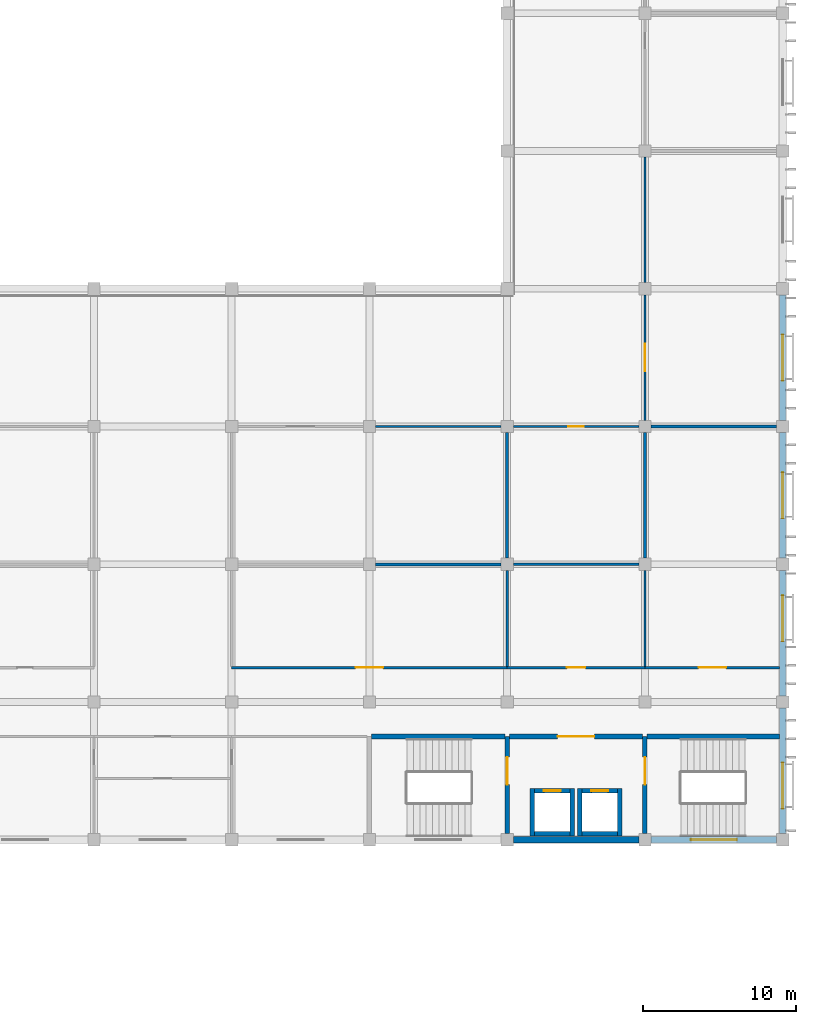
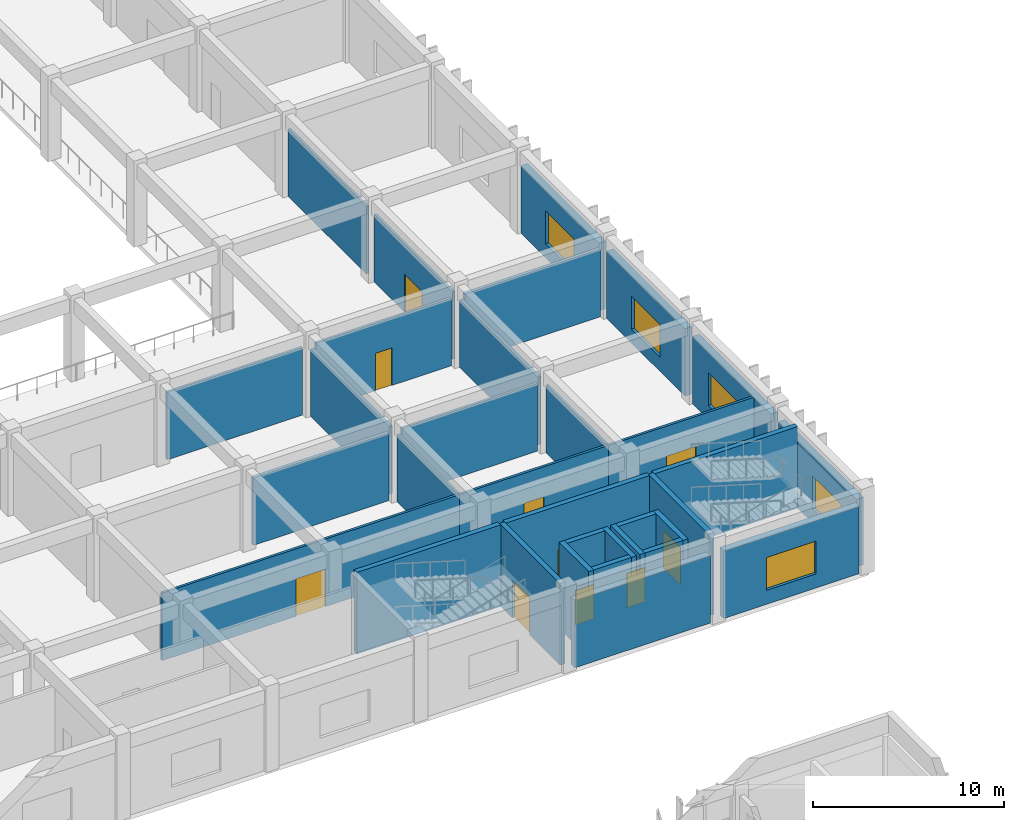
# One storey, part 124 of 185: 33 walls, 10 doors, 5 windows, 15 openings.
"""IFC4 building model written with IfcOpenShell, lengths in metres."""

from ifc_helpers import new_model, si_unit, direction, frame, frame_2d, origin, place, context, subcontext, project, spatial, rectangle, extrude, material, layer, layer_set, type_object, element, fill, save


model = new_model("IFC4")

# Units and contexts
model_context = context("Model", 3, precision=1e-05, world=origin(), true_north=direction((0.0, 1.0)))
body_context = subcontext(model_context, "Body", "Model", "MODEL_VIEW")
ifc_project = project(units=[si_unit("LENGTHUNIT", "METRE"), si_unit("AREAUNIT", "SQUARE_METRE"), si_unit("VOLUMEUNIT", "CUBIC_METRE"), si_unit("PLANEANGLEUNIT", "RADIAN"), si_unit("MASSUNIT", "GRAM", prefix="KILO")], contexts=[model_context])

# Site, building, storey
site_placement = place(None, origin())
site = spatial("IfcSite", under=ifc_project, at=site_placement, CompositionType="ELEMENT")
building_placement = place(site_placement, origin())
building = spatial("IfcBuilding", under=site, at=building_placement, Name="Opaline Strait Convention Centre", CompositionType="ELEMENT")
storey_placement = place(building_placement, frame((0.0, 0.0, 6.0)))
storey = spatial("IfcBuildingStorey", under=building, at=storey_placement, Name="L01", CompositionType="ELEMENT", Elevation=6.0)

# Walls
ifc_material_1 = material(Name="Gypsum board")
ifc_layer_1 = layer(ifc_material_1, 0.050048828125)
ifc_material_2 = material(Name="Steel stud and mineral wool", Category="steel")
ifc_layer_2 = layer(ifc_material_2, 0.10009765625)
ifc_layer_3 = layer(ifc_material_1, 0.050048828125)
ifc_layer_set_1 = layer_set([ifc_layer_1, ifc_layer_2, ifc_layer_3], Name="Gypsum board, Steel stud and mineral wool, Gypsum board")
wall_type_1 = type_object("IfcWallType", Name="Acoustic partition 200 EI45", PredefinedType="PARTITIONING", material=ifc_layer_set_1)
for number, where, z_axis, x_axis, name in (
    (1, (333.39990234375, 108.0, 0.0), (0.0, 0.0, 1.0), (1.0, 0.0, 0.0), "MPW5 partition Meeting Room 1.14 N"),
    (2, (342.0, 108.39990234375, 0.0), (0.0, 0.0, 1.0), (0.0, 1.0, 0.0), "MPW5 partition Meeting Room 1.17 E"),
    (3, (351.0, 108.39990234375, 0.0), (0.0, 0.0, 1.0), (0.0, 1.0, 0.0), "MPW5 partition Boardroom 1.18 E"),
    (4, (351.39990234375, 117.0, 0.0), (0.0, 0.0, 1.0), (1.0, 0.0, 0.0), "MPW5 partition Meeting Room 1.23 S"),
):
    element("IfcWall", number, at=place(storey_placement, frame(where, z_axis=z_axis, x_axis=x_axis)), inside=storey, type_object=wall_type_1, Name=name, PredefinedType="PARTITIONING", context=body_context, shape_type="SweptSolid", body=[
        extrude(rectangle(XDim=8.2001953125, YDim=0.199951171875, at=frame_2d((4.10009765625, 0.0))), origin(), (0.0, 0.0, 1.0), 4.320068359375),
    ])

# Wall, opening, door
ifc_layer_4 = layer(ifc_material_1, 0.032470703125)
ifc_layer_5 = layer(ifc_material_2, 0.0849609375)
ifc_layer_6 = layer(ifc_material_1, 0.032470703125)
ifc_layer_set_2 = layer_set([ifc_layer_4, ifc_layer_5, ifc_layer_6], Name="Gypsum board, Steel stud and mineral wool, Gypsum board")
wall_type_2 = type_object("IfcWallType", Name="Corridor partition 150 EI60", PredefinedType="PARTITIONING", material=ifc_layer_set_2)
wall_1_placement = place(storey_placement, frame((324.0, 101.25, 0.0), z_axis=(0.0, 0.0, 1.0), x_axis=(1.0, 0.0, 0.0)))
wall_1 = element("IfcWall", 5, at=wall_1_placement, inside=storey, type_object=wall_type_2, Name="MPW1 partition Meeting Room 1.14 S", PredefinedType="PARTITIONING", context=body_context, shape_type="SweptSolid", body=[
    extrude(rectangle(XDim=18.0, YDim=0.14990234375, at=frame_2d((9.0, 0.0))), origin(), (0.0, 0.0, 1.0), 4.320068359375),
])
opening_1_placement = place(wall_1_placement, frame((8.10009765625, 0.0, 0.0)))
opening_1 = element("IfcOpeningElement", 6, at=opening_1_placement, cuts=wall_1, Name="Opening M1-034", PredefinedType="OPENING", context=body_context, shape_type="SweptSolid", body=[
    extrude(rectangle(XDim=1.800048828125, YDim=2.39990234375, at=frame_2d((0.89990234375, 1.199951171875))), frame((0.0, 0.0849609375, 0.0), z_axis=(0.0, -1.0, 0.0), x_axis=(1.0, 0.0, 0.0)), (0.0, 0.0, 1.0), 0.169921875),
])
ifc_material_3 = material(Name="Solid-core timber leaf, steel frame door set", Category="steel")
door_type_1 = type_object("IfcDoorType", Name="Meeting room double door FD30 1800 x 2400", OperationType="DOUBLE_DOOR_SINGLE_SWING", PredefinedType="DOOR", material=ifc_material_3)
door_1_placement = place(opening_1_placement, frame((1.800048828125, 0.0, 0.0), z_axis=(0.0, 0.0, 1.0), x_axis=(-1.0, 0.0, 0.0)))
door_1 = element("IfcDoor", 7, at=door_1_placement, inside=storey, type_object=door_type_1, Name="Door Meeting Room 1.14", ObjectType="MD7", OperationType="DOUBLE_DOOR_SINGLE_SWING", OverallHeight=2.39990234375, OverallWidth=1.800048828125, PredefinedType="DOOR", context=body_context, shape_type="SweptSolid", body=[
    extrude(rectangle(XDim=1.800048828125, YDim=2.39990234375, at=frame_2d((0.89990234375, 1.199951171875))), frame((0.0, 0.02490234375, 0.0), z_axis=(0.0, -1.0, 0.0), x_axis=(1.0, 0.0, 0.0)), (0.0, 0.0, 1.0), 0.050048828125),
])
fill(opening_1, door_1)

# Wall
wall_2_placement = place(storey_placement, frame((333.39990234375, 117.0, 0.0), z_axis=(0.0, 0.0, 1.0), x_axis=(1.0, 0.0, 0.0)))
element("IfcWall", 8, at=wall_2_placement, inside=storey, type_object=wall_type_2, Name="MPW1 partition Meeting Room 1.17 N", PredefinedType="PARTITIONING", context=body_context, shape_type="SweptSolid", body=[
    extrude(rectangle(XDim=8.2001953125, YDim=0.14990234375, at=frame_2d((4.10009765625, 0.0))), origin(), (0.0, 0.0, 1.0), 4.320068359375),
])

# Wall, opening, door
wall_3_placement = place(storey_placement, frame((342.39990234375, 117.0, 0.0), z_axis=(0.0, 0.0, 1.0), x_axis=(1.0, 0.0, 0.0)))
wall_3 = element("IfcWall", 9, at=wall_3_placement, inside=storey, type_object=wall_type_2, Name="MPW1 partition Boardroom 1.18 N", PredefinedType="PARTITIONING", context=body_context, shape_type="SweptSolid", body=[
    extrude(rectangle(XDim=8.2001953125, YDim=0.14990234375, at=frame_2d((4.10009765625, 0.0))), origin(), (0.0, 0.0, 1.0), 4.320068359375),
])
opening_2_placement = place(wall_3_placement, frame((3.60009765625, 0.0, 0.0)))
opening_2 = element("IfcOpeningElement", 10, at=opening_2_placement, cuts=wall_3, Name="Opening M1-038", PredefinedType="OPENING", context=body_context, shape_type="SweptSolid", body=[
    extrude(rectangle(XDim=1.0, YDim=2.39990234375, at=frame_2d((0.5, 1.199951171875))), frame((0.0, 0.0849609375, 0.0), z_axis=(0.0, -1.0, 0.0), x_axis=(1.0, 0.0, 0.0)), (0.0, 0.0, 1.0), 0.169921875),
])
door_type_2 = type_object("IfcDoorType", Name="Meeting room door FD30 1000 x 2400", OperationType="SINGLE_SWING_LEFT", PredefinedType="DOOR", material=ifc_material_3)
door_2_placement = place(opening_2_placement, origin())
door_2 = element("IfcDoor", 11, at=door_2_placement, inside=storey, type_object=door_type_2, Name="Door Boardroom 1.18", ObjectType="MD8", OperationType="SINGLE_SWING_LEFT", OverallHeight=2.39990234375, OverallWidth=1.0, PredefinedType="DOOR", context=body_context, shape_type="SweptSolid", body=[
    extrude(rectangle(XDim=1.0, YDim=2.39990234375, at=frame_2d((0.5, 1.199951171875))), frame((0.0, 0.02490234375, 0.0), z_axis=(0.0, -1.0, 0.0), x_axis=(1.0, 0.0, 0.0)), (0.0, 0.0, 1.0), 0.050048828125),
])
fill(opening_2, door_2)

wall_4_placement = place(storey_placement, frame((351.0, 117.39990234375, 0.0), z_axis=(0.0, 0.0, 1.0), x_axis=(0.0, 1.0, 0.0)))
wall_4 = element("IfcWall", 12, at=wall_4_placement, inside=storey, type_object=wall_type_2, Name="MPW1 partition Meeting Room 1.23 W", PredefinedType="PARTITIONING", context=body_context, shape_type="SweptSolid", body=[
    extrude(rectangle(XDim=8.2001953125, YDim=0.14990234375, at=frame_2d((4.10009765625, 0.0))), origin(), (0.0, 0.0, 1.0), 4.320068359375),
])
opening_3_placement = place(wall_4_placement, frame((3.2001953125, 0.0, 0.0)))
opening_3 = element("IfcOpeningElement", 13, at=opening_3_placement, cuts=wall_4, Name="Opening M1-043", PredefinedType="OPENING", context=body_context, shape_type="SweptSolid", body=[
    extrude(rectangle(XDim=1.800048828125, YDim=2.39990234375, at=frame_2d((0.89990234375, 1.199951171875))), frame((0.0, 0.0849609375, 0.0), z_axis=(0.0, -1.0, 0.0), x_axis=(1.0, 0.0, 0.0)), (0.0, 0.0, 1.0), 0.169921875),
])
door_3_placement = place(opening_3_placement, origin())
door_3 = element("IfcDoor", 14, at=door_3_placement, inside=storey, type_object=door_type_1, Name="Door Meeting Room 1.23", ObjectType="MD7", OperationType="DOUBLE_DOOR_SINGLE_SWING", OverallHeight=2.39990234375, OverallWidth=1.800048828125, PredefinedType="DOOR", context=body_context, shape_type="SweptSolid", body=[
    extrude(rectangle(XDim=1.800048828125, YDim=2.39990234375, at=frame_2d((0.89990234375, 1.199951171875))), frame((0.0, 0.02490234375, 0.0), z_axis=(0.0, -1.0, 0.0), x_axis=(1.0, 0.0, 0.0)), (0.0, 0.0, 1.0), 0.050048828125),
])
fill(opening_3, door_3)

# Wall
wall_5_placement = place(storey_placement, frame((351.0, 126.39990234375, 0.0), z_axis=(0.0, 0.0, 1.0), x_axis=(0.0, 1.0, 0.0)))
element("IfcWall", 15, at=wall_5_placement, inside=storey, type_object=wall_type_2, Name="MPW1 partition Meeting Room 1.23 W", PredefinedType="PARTITIONING", context=body_context, shape_type="SweptSolid", body=[
    extrude(rectangle(XDim=8.2001953125, YDim=0.14990234375, at=frame_2d((4.10009765625, 0.0))), origin(), (0.0, 0.0, 1.0), 4.320068359375),
])

# Wall, opening, door
wall_6_placement = place(storey_placement, frame((351.0, 101.25, 0.0), z_axis=(0.0, 0.0, 1.0), x_axis=(1.0, 0.0, 0.0)))
wall_6 = element("IfcWall", 16, at=wall_6_placement, inside=storey, type_object=wall_type_2, Name="MPW1 partition Meeting Room 1.26 S", PredefinedType="PARTITIONING", context=body_context, shape_type="SweptSolid", body=[
    extrude(rectangle(XDim=8.800048828125, YDim=0.14990234375, at=frame_2d((4.39990234375, 0.0))), origin(), (0.0, 0.0, 1.0), 4.320068359375),
])
opening_4_placement = place(wall_6_placement, frame((3.5, 0.0, 0.0)))
opening_4 = element("IfcOpeningElement", 17, at=opening_4_placement, cuts=wall_6, Name="Opening M1-046", PredefinedType="OPENING", context=body_context, shape_type="SweptSolid", body=[
    extrude(rectangle(XDim=1.800048828125, YDim=2.39990234375, at=frame_2d((0.89990234375, 1.199951171875))), frame((0.0, 0.0849609375, 0.0), z_axis=(0.0, -1.0, 0.0), x_axis=(1.0, 0.0, 0.0)), (0.0, 0.0, 1.0), 0.169921875),
])
door_4_placement = place(opening_4_placement, frame((1.800048828125, 0.0, 0.0), z_axis=(0.0, 0.0, 1.0), x_axis=(-1.0, 0.0, 0.0)))
door_4 = element("IfcDoor", 18, at=door_4_placement, inside=storey, type_object=door_type_1, Name="Door Meeting Room 1.26", ObjectType="MD7", OperationType="DOUBLE_DOOR_SINGLE_SWING", OverallHeight=2.39990234375, OverallWidth=1.800048828125, PredefinedType="DOOR", context=body_context, shape_type="SweptSolid", body=[
    extrude(rectangle(XDim=1.800048828125, YDim=2.39990234375, at=frame_2d((0.89990234375, 1.199951171875))), frame((0.0, 0.02490234375, 0.0), z_axis=(0.0, -1.0, 0.0), x_axis=(1.0, 0.0, 0.0)), (0.0, 0.0, 1.0), 0.050048828125),
])
fill(opening_4, door_4)

# Wall
ifc_material_4 = material(Name="Concrete C40 precast", Category="concrete")
ifc_layer_7 = layer(ifc_material_4, 0.10009765625)
ifc_material_5 = material(Name="Mineral wool insulation")
ifc_layer_8 = layer(ifc_material_5, 0.14990234375)
ifc_layer_9 = layer(ifc_material_4, 0.14990234375)
ifc_layer_set_3 = layer_set([ifc_layer_7, ifc_layer_8, ifc_layer_9], Name="Concrete C40 precast, Mineral wool insulation, Concrete C40 precast")
wall_type_3 = type_object("IfcWallType", Name="External wall 400 insulated precast EI60", PredefinedType="STANDARD", material=ifc_layer_set_3)
wall_7_placement = place(storey_placement, frame((342.39990234375, 90.0, 0.0), z_axis=(0.0, 0.0, 1.0), x_axis=(1.0, 0.0, 0.0)))
element("IfcWall", 19, at=wall_7_placement, inside=storey, type_object=wall_type_3, Name="External wall S L01 39/L", PredefinedType="STANDARD", context=body_context, shape_type="SweptSolid", body=[
    extrude(rectangle(XDim=8.2001953125, YDim=0.39990234375, at=frame_2d((4.10009765625, 0.0))), origin(), (0.0, 0.0, 1.0), 4.320068359375),
])

# Wall, opening, window
wall_8_placement = place(storey_placement, frame((351.39990234375, 90.0, 0.0), z_axis=(0.0, 0.0, 1.0), x_axis=(1.0, 0.0, 0.0)))
wall_8 = element("IfcWall", 20, at=wall_8_placement, inside=storey, type_object=wall_type_3, Name="External wall S L01 40/L", PredefinedType="STANDARD", context=body_context, shape_type="SweptSolid", body=[
    extrude(rectangle(XDim=8.2001953125, YDim=0.39990234375, at=frame_2d((4.10009765625, 0.0))), origin(), (0.0, 0.0, 1.0), 4.320068359375),
])
opening_5_placement = place(wall_8_placement, frame((2.60009765625, 0.0, 0.89990234375)))
opening_5 = element("IfcOpeningElement", 21, at=opening_5_placement, cuts=wall_8, Name="Opening MW2", PredefinedType="OPENING", context=body_context, shape_type="SweptSolid", body=[
    extrude(rectangle(XDim=3.0, YDim=2.10009765625, at=frame_2d((1.5, 1.050048828125))), frame((0.0, 0.2099609375, 0.0), z_axis=(0.0, -1.0, 0.0), x_axis=(1.0, 0.0, 0.0)), (0.0, 0.0, 1.0), 0.419921875),
])
ifc_material_6 = material(Name="Aluminium framed double glazing", Category="aluminium")
window_type = type_object("IfcWindowType", Name="Window 3000 x 2100", PartitioningType="TRIPLE_PANEL_VERTICAL", PredefinedType="WINDOW", material=ifc_material_6)
window_1_placement = place(opening_5_placement, origin())
window_1 = element("IfcWindow", 22, at=window_1_placement, inside=storey, type_object=window_type, Name="Window Escape Stair S3 S", OverallHeight=2.10009765625, OverallWidth=3.0, PartitioningType="TRIPLE_PANEL_VERTICAL", PredefinedType="WINDOW", context=body_context, shape_type="SweptSolid", body=[
    extrude(rectangle(XDim=3.0, YDim=2.10009765625, at=frame_2d((1.5, 1.050048828125))), frame((0.0, 0.030029296875, 0.0), z_axis=(0.0, -1.0, 0.0), x_axis=(1.0, 0.0, 0.0)), (0.0, 0.0, 1.0), 0.06005859375),
])
fill(opening_5, window_1)

wall_9_placement = place(storey_placement, frame((360.0, 90.39990234375, 0.0), z_axis=(0.0, 0.0, 1.0), x_axis=(0.0, 1.0, 0.0)))
wall_9 = element("IfcWall", 23, at=wall_9_placement, inside=storey, type_object=wall_type_3, Name="External wall E L01 41/L", PredefinedType="STANDARD", context=body_context, shape_type="SweptSolid", body=[
    extrude(rectangle(XDim=8.2001953125, YDim=0.39990234375, at=frame_2d((4.10009765625, 0.0))), origin(), (0.0, 0.0, 1.0), 4.320068359375),
])
opening_6_placement = place(wall_9_placement, frame((1.6376953125, 0.0, 0.89990234375)))
opening_6 = element("IfcOpeningElement", 24, at=opening_6_placement, cuts=wall_9, Name="Opening MW2", PredefinedType="OPENING", context=body_context, shape_type="SweptSolid", body=[
    extrude(rectangle(XDim=3.0, YDim=2.10009765625, at=frame_2d((1.5, 1.050048828125))), frame((0.0, 0.2099609375, 0.0), z_axis=(0.0, -1.0, 0.0), x_axis=(1.0, 0.0, 0.0)), (0.0, 0.0, 1.0), 0.419921875),
])
window_2_placement = place(opening_6_placement, origin())
window_2 = element("IfcWindow", 25, at=window_2_placement, inside=storey, type_object=window_type, Name="Window Escape Stair S3 E", OverallHeight=2.10009765625, OverallWidth=3.0, PartitioningType="TRIPLE_PANEL_VERTICAL", PredefinedType="WINDOW", context=body_context, shape_type="SweptSolid", body=[
    extrude(rectangle(XDim=3.0, YDim=2.10009765625, at=frame_2d((1.5, 1.050048828125))), frame((0.0, 0.030029296875, 0.0), z_axis=(0.0, -1.0, 0.0), x_axis=(1.0, 0.0, 0.0)), (0.0, 0.0, 1.0), 0.06005859375),
])
fill(opening_6, window_2)

wall_10_placement = place(storey_placement, frame((360.0, 99.39990234375, 0.0), z_axis=(0.0, 0.0, 1.0), x_axis=(0.0, 1.0, 0.0)))
wall_10 = element("IfcWall", 26, at=wall_10_placement, inside=storey, type_object=wall_type_3, Name="External wall E L01 41/M", PredefinedType="STANDARD", context=body_context, shape_type="SweptSolid", body=[
    extrude(rectangle(XDim=8.2001953125, YDim=0.39990234375, at=frame_2d((4.10009765625, 0.0))), origin(), (0.0, 0.0, 1.0), 4.320068359375),
])
opening_7_placement = place(wall_10_placement, frame((3.5625, 0.0, 0.89990234375)))
opening_7 = element("IfcOpeningElement", 27, at=opening_7_placement, cuts=wall_10, Name="Opening MW2", PredefinedType="OPENING", context=body_context, shape_type="SweptSolid", body=[
    extrude(rectangle(XDim=3.0, YDim=2.10009765625, at=frame_2d((1.5, 1.050048828125))), frame((0.0, 0.2099609375, 0.0), z_axis=(0.0, -1.0, 0.0), x_axis=(1.0, 0.0, 0.0)), (0.0, 0.0, 1.0), 0.419921875),
])
window_3_placement = place(opening_7_placement, origin())
window_3 = element("IfcWindow", 28, at=window_3_placement, inside=storey, type_object=window_type, Name="Window Meeting Room 1.26 E", OverallHeight=2.10009765625, OverallWidth=3.0, PartitioningType="TRIPLE_PANEL_VERTICAL", PredefinedType="WINDOW", context=body_context, shape_type="SweptSolid", body=[
    extrude(rectangle(XDim=3.0, YDim=2.10009765625, at=frame_2d((1.5, 1.050048828125))), frame((0.0, 0.030029296875, 0.0), z_axis=(0.0, -1.0, 0.0), x_axis=(1.0, 0.0, 0.0)), (0.0, 0.0, 1.0), 0.06005859375),
])
fill(opening_7, window_3)

wall_11_placement = place(storey_placement, frame((360.0, 108.39990234375, 0.0), z_axis=(0.0, 0.0, 1.0), x_axis=(0.0, 1.0, 0.0)))
wall_11 = element("IfcWall", 29, at=wall_11_placement, inside=storey, type_object=wall_type_3, Name="External wall E L01 41/N", PredefinedType="STANDARD", context=body_context, shape_type="SweptSolid", body=[
    extrude(rectangle(XDim=8.2001953125, YDim=0.39990234375, at=frame_2d((4.10009765625, 0.0))), origin(), (0.0, 0.0, 1.0), 4.320068359375),
])
opening_8_placement = place(wall_11_placement, frame((2.60009765625, 0.0, 0.89990234375)))
opening_8 = element("IfcOpeningElement", 30, at=opening_8_placement, cuts=wall_11, Name="Opening MW2", PredefinedType="OPENING", context=body_context, shape_type="SweptSolid", body=[
    extrude(rectangle(XDim=3.0, YDim=2.10009765625, at=frame_2d((1.5, 1.050048828125))), frame((0.0, 0.2099609375, 0.0), z_axis=(0.0, -1.0, 0.0), x_axis=(1.0, 0.0, 0.0)), (0.0, 0.0, 1.0), 0.419921875),
])
window_4_placement = place(opening_8_placement, origin())
window_4 = element("IfcWindow", 31, at=window_4_placement, inside=storey, type_object=window_type, Name="Window Meeting Room 1.26 E", OverallHeight=2.10009765625, OverallWidth=3.0, PartitioningType="TRIPLE_PANEL_VERTICAL", PredefinedType="WINDOW", context=body_context, shape_type="SweptSolid", body=[
    extrude(rectangle(XDim=3.0, YDim=2.10009765625, at=frame_2d((1.5, 1.050048828125))), frame((0.0, 0.030029296875, 0.0), z_axis=(0.0, -1.0, 0.0), x_axis=(1.0, 0.0, 0.0)), (0.0, 0.0, 1.0), 0.06005859375),
])
fill(opening_8, window_4)

wall_12_placement = place(storey_placement, frame((360.0, 117.39990234375, 0.0), z_axis=(0.0, 0.0, 1.0), x_axis=(0.0, 1.0, 0.0)))
wall_12 = element("IfcWall", 32, at=wall_12_placement, inside=storey, type_object=wall_type_3, Name="External wall E L01 41/P", PredefinedType="STANDARD", context=body_context, shape_type="SweptSolid", body=[
    extrude(rectangle(XDim=8.2001953125, YDim=0.39990234375, at=frame_2d((4.10009765625, 0.0))), origin(), (0.0, 0.0, 1.0), 4.320068359375),
])
opening_9_placement = place(wall_12_placement, frame((2.60009765625, 0.0, 0.89990234375)))
opening_9 = element("IfcOpeningElement", 33, at=opening_9_placement, cuts=wall_12, Name="Opening MW2", PredefinedType="OPENING", context=body_context, shape_type="SweptSolid", body=[
    extrude(rectangle(XDim=3.0, YDim=2.10009765625, at=frame_2d((1.5, 1.050048828125))), frame((0.0, 0.2099609375, 0.0), z_axis=(0.0, -1.0, 0.0), x_axis=(1.0, 0.0, 0.0)), (0.0, 0.0, 1.0), 0.419921875),
])
window_5_placement = place(opening_9_placement, origin())
window_5 = element("IfcWindow", 34, at=window_5_placement, inside=storey, type_object=window_type, Name="Window Meeting Room 1.23 E", OverallHeight=2.10009765625, OverallWidth=3.0, PartitioningType="TRIPLE_PANEL_VERTICAL", PredefinedType="WINDOW", context=body_context, shape_type="SweptSolid", body=[
    extrude(rectangle(XDim=3.0, YDim=2.10009765625, at=frame_2d((1.5, 1.050048828125))), frame((0.0, 0.030029296875, 0.0), z_axis=(0.0, -1.0, 0.0), x_axis=(1.0, 0.0, 0.0)), (0.0, 0.0, 1.0), 0.06005859375),
])
fill(opening_9, window_5)

# Wall
ifc_layer_10 = layer(ifc_material_1, 0.032470703125)
ifc_layer_11 = layer(ifc_material_2, 0.0849609375)
ifc_layer_12 = layer(ifc_material_1, 0.032470703125)
ifc_layer_set_4 = layer_set([ifc_layer_10, ifc_layer_11, ifc_layer_12], Name="Gypsum board, Steel stud and mineral wool, Gypsum board")
wall_type_4 = type_object("IfcWallType", Name="Plant room partition 150 EI120", PredefinedType="PARTITIONING", material=ifc_layer_set_4)
wall_13_placement = place(storey_placement, frame((342.0, 101.324951171875, 0.0), z_axis=(0.0, 0.0, 1.0), x_axis=(0.0, 1.0, 0.0)))
element("IfcWall", 35, at=wall_13_placement, inside=storey, type_object=wall_type_4, Name="MPW3 partition Meeting Room 1.14 E", PredefinedType="PARTITIONING", context=body_context, shape_type="SweptSolid", body=[
    extrude(rectangle(XDim=6.275146484375, YDim=0.14990234375, at=frame_2d((3.1376953125, 0.0))), origin(), (0.0, 0.0, 1.0), 4.320068359375),
])

# Wall, opening, door
wall_14_placement = place(storey_placement, frame((342.0, 101.25, 0.0), z_axis=(0.0, 0.0, 1.0), x_axis=(1.0, 0.0, 0.0)))
wall_14 = element("IfcWall", 36, at=wall_14_placement, inside=storey, type_object=wall_type_4, Name="MPW3 partition Electrical Room 1.15 S", PredefinedType="PARTITIONING", context=body_context, shape_type="SweptSolid", body=[
    extrude(rectangle(XDim=9.0, YDim=0.14990234375, at=frame_2d((4.5, 0.0))), origin(), (0.0, 0.0, 1.0), 4.320068359375),
])
opening_10_placement = place(wall_14_placement, frame((3.89990234375, 0.0, 0.0)))
opening_10 = element("IfcOpeningElement", 37, at=opening_10_placement, cuts=wall_14, Name="Opening M1-035", PredefinedType="OPENING", context=body_context, shape_type="SweptSolid", body=[
    extrude(rectangle(XDim=1.199951171875, YDim=2.39990234375, at=frame_2d((0.60009765625, 1.199951171875))), frame((0.0, 0.0849609375, 0.0), z_axis=(0.0, -1.0, 0.0), x_axis=(1.0, 0.0, 0.0)), (0.0, 0.0, 1.0), 0.169921875),
])
ifc_material_7 = material(Name="Steel Q235B", Category="steel")
door_type_3 = type_object("IfcDoorType", Name="Plant room door FD60 1200 x 2400", OperationType="SINGLE_SWING_LEFT", PredefinedType="DOOR", material=ifc_material_7)
door_5_placement = place(opening_10_placement, frame((1.199951171875, 0.0, 0.0), z_axis=(0.0, 0.0, 1.0), x_axis=(-1.0, 0.0, 0.0)))
door_5 = element("IfcDoor", 38, at=door_5_placement, inside=storey, type_object=door_type_3, Name="Door Electrical Room 1.15", ObjectType="MD9", OperationType="SINGLE_SWING_LEFT", OverallHeight=2.39990234375, OverallWidth=1.199951171875, PredefinedType="DOOR", context=body_context, shape_type="SweptSolid", body=[
    extrude(rectangle(XDim=1.199951171875, YDim=2.39990234375, at=frame_2d((0.60009765625, 1.199951171875))), frame((0.0, 0.02490234375, 0.0), z_axis=(0.0, -1.0, 0.0), x_axis=(1.0, 0.0, 0.0)), (0.0, 0.0, 1.0), 0.050048828125),
])
fill(opening_10, door_5)

# Walls
wall_15_placement = place(storey_placement, frame((342.39990234375, 108.0, 0.0), z_axis=(0.0, 0.0, 1.0), x_axis=(1.0, 0.0, 0.0)))
element("IfcWall", 39, at=wall_15_placement, inside=storey, type_object=wall_type_4, Name="MPW3 partition Electrical Room 1.15 N", PredefinedType="PARTITIONING", context=body_context, shape_type="SweptSolid", body=[
    extrude(rectangle(XDim=8.2001953125, YDim=0.14990234375, at=frame_2d((4.10009765625, 0.0))), origin(), (0.0, 0.0, 1.0), 4.320068359375),
])
wall_16_placement = place(storey_placement, frame((351.0, 101.324951171875, 0.0), z_axis=(0.0, 0.0, 1.0), x_axis=(0.0, 1.0, 0.0)))
element("IfcWall", 40, at=wall_16_placement, inside=storey, type_object=wall_type_4, Name="MPW3 partition Electrical Room 1.15 E", PredefinedType="PARTITIONING", context=body_context, shape_type="SweptSolid", body=[
    extrude(rectangle(XDim=6.275146484375, YDim=0.14990234375, at=frame_2d((3.1376953125, 0.0))), origin(), (0.0, 0.0, 1.0), 4.320068359375),
])

# Wall, opening, door
ifc_material_8 = material(Name="Concrete C40", Category="concrete")
ifc_layer_13 = layer(ifc_material_8, 0.300048828125)
ifc_layer_set_5 = layer_set([ifc_layer_13], Name="Concrete C40")
wall_type_5 = type_object("IfcWallType", Name="RC core wall 300 C40", PredefinedType="SHEAR", material=ifc_layer_set_5)
wall_17_placement = place(storey_placement, frame((351.0, 90.39990234375, 0.0), z_axis=(0.0, 0.0, 1.0), x_axis=(0.0, 1.0, 0.0)))
wall_17 = element("IfcWall", 41, at=wall_17_placement, inside=storey, type_object=wall_type_5, Name="Core wall SE-L01", PredefinedType="SHEAR", context=body_context, shape_type="SweptSolid", body=[
    extrude(rectangle(XDim=6.35009765625, YDim=0.300048828125, at=frame_2d((3.175048828125, 0.0))), origin(), (0.0, 0.0, 1.0), 5.219970703125),
])
opening_11_placement = place(wall_17_placement, frame((3.2001953125, 0.0, 0.0)))
opening_11 = element("IfcOpeningElement", 42, at=opening_11_placement, cuts=wall_17, Name="Opening M1-006", PredefinedType="OPENING", context=body_context, shape_type="SweptSolid", body=[
    extrude(rectangle(XDim=1.800048828125, YDim=2.39990234375, at=frame_2d((0.89990234375, 1.199951171875))), frame((0.0, 0.159912109375, 0.0), z_axis=(0.0, -1.0, 0.0), x_axis=(1.0, 0.0, 0.0)), (0.0, 0.0, 1.0), 0.320068359375),
])
door_type_4 = type_object("IfcDoorType", Name="Stair door FD60 1800 x 2400", OperationType="DOUBLE_DOOR_SINGLE_SWING", PredefinedType="DOOR", material=ifc_material_7)
door_6_placement = place(opening_11_placement, origin())
door_6 = element("IfcDoor", 43, at=door_6_placement, inside=storey, type_object=door_type_4, Name="Escape stair S3 door L01", ObjectType="MD4", OperationType="DOUBLE_DOOR_SINGLE_SWING", OverallHeight=2.39990234375, OverallWidth=1.800048828125, PredefinedType="DOOR", context=body_context, shape_type="SweptSolid", body=[
    extrude(rectangle(XDim=1.800048828125, YDim=2.39990234375, at=frame_2d((0.89990234375, 1.199951171875))), frame((0.0, 0.02490234375, 0.0), z_axis=(0.0, -1.0, 0.0), x_axis=(1.0, 0.0, 0.0)), (0.0, 0.0, 1.0), 0.050048828125),
])
fill(opening_11, door_6)

wall_18_placement = place(storey_placement, frame((342.0, 90.39990234375, 0.0), z_axis=(0.0, 0.0, 1.0), x_axis=(0.0, 1.0, 0.0)))
wall_18 = element("IfcWall", 44, at=wall_18_placement, inside=storey, type_object=wall_type_5, Name="Core wall SE-L01", PredefinedType="SHEAR", context=body_context, shape_type="SweptSolid", body=[
    extrude(rectangle(XDim=6.35009765625, YDim=0.300048828125, at=frame_2d((3.175048828125, 0.0))), origin(), (0.0, 0.0, 1.0), 5.219970703125),
])
opening_12_placement = place(wall_18_placement, frame((3.2001953125, 0.0, 0.0)))
opening_12 = element("IfcOpeningElement", 45, at=opening_12_placement, cuts=wall_18, Name="Opening M1-007", PredefinedType="OPENING", context=body_context, shape_type="SweptSolid", body=[
    extrude(rectangle(XDim=1.800048828125, YDim=2.39990234375, at=frame_2d((0.89990234375, 1.199951171875))), frame((0.0, 0.159912109375, 0.0), z_axis=(0.0, -1.0, 0.0), x_axis=(1.0, 0.0, 0.0)), (0.0, 0.0, 1.0), 0.320068359375),
])
door_7_placement = place(opening_12_placement, frame((1.800048828125, 0.0, 0.0), z_axis=(0.0, 0.0, 1.0), x_axis=(-1.0, 0.0, 0.0)))
door_7 = element("IfcDoor", 46, at=door_7_placement, inside=storey, type_object=door_type_4, Name="Escape stair S4 door L01", ObjectType="MD4", OperationType="DOUBLE_DOOR_SINGLE_SWING", OverallHeight=2.39990234375, OverallWidth=1.800048828125, PredefinedType="DOOR", context=body_context, shape_type="SweptSolid", body=[
    extrude(rectangle(XDim=1.800048828125, YDim=2.39990234375, at=frame_2d((0.89990234375, 1.199951171875))), frame((0.0, 0.02490234375, 0.0), z_axis=(0.0, -1.0, 0.0), x_axis=(1.0, 0.0, 0.0)), (0.0, 0.0, 1.0), 0.050048828125),
])
fill(opening_12, door_7)

# Wall
wall_19_placement = place(storey_placement, frame((333.14990234375, 96.75, 0.0), z_axis=(0.0, 0.0, 1.0), x_axis=(1.0, 0.0, 0.0)))
element("IfcWall", 47, at=wall_19_placement, inside=storey, type_object=wall_type_5, Name="Core wall SE-L01", PredefinedType="SHEAR", context=body_context, shape_type="SweptSolid", body=[
    extrude(rectangle(XDim=8.7001953125, YDim=0.300048828125, at=frame_2d((4.35009765625, 0.0))), origin(), (0.0, 0.0, 1.0), 5.219970703125),
])

# Wall, opening, door
wall_20_placement = place(storey_placement, frame((342.14990234375, 96.75, 0.0), z_axis=(0.0, 0.0, 1.0), x_axis=(1.0, 0.0, 0.0)))
wall_20 = element("IfcWall", 48, at=wall_20_placement, inside=storey, type_object=wall_type_5, Name="Core wall SE-L01", PredefinedType="SHEAR", context=body_context, shape_type="SweptSolid", body=[
    extrude(rectangle(XDim=8.7001953125, YDim=0.300048828125, at=frame_2d((4.35009765625, 0.0))), origin(), (0.0, 0.0, 1.0), 5.219970703125),
])
opening_13_placement = place(wall_20_placement, frame((3.150146484375, 0.0, 0.0)))
opening_13 = element("IfcOpeningElement", 49, at=opening_13_placement, cuts=wall_20, Name="Opening M1-008", PredefinedType="OPENING", context=body_context, shape_type="SweptSolid", body=[
    extrude(rectangle(XDim=2.39990234375, YDim=2.39990234375, at=frame_2d((1.199951171875, 1.199951171875))), frame((0.0, 0.159912109375, 0.0), z_axis=(0.0, -1.0, 0.0), x_axis=(1.0, 0.0, 0.0)), (0.0, 0.0, 1.0), 0.320068359375),
])
door_type_5 = type_object("IfcDoorType", Name="Lift lobby double door FD60 2400 x 2400", OperationType="DOUBLE_DOOR_SINGLE_SWING", PredefinedType="DOOR", material=ifc_material_7)
door_8_placement = place(opening_13_placement, origin())
door_8 = element("IfcDoor", 50, at=door_8_placement, inside=storey, type_object=door_type_5, Name="Lift lobby SE door L01", ObjectType="MD5", OperationType="DOUBLE_DOOR_SINGLE_SWING", OverallHeight=2.39990234375, OverallWidth=2.39990234375, PredefinedType="DOOR", context=body_context, shape_type="SweptSolid", body=[
    extrude(rectangle(XDim=2.39990234375, YDim=2.39990234375, at=frame_2d((1.199951171875, 1.199951171875))), frame((0.0, 0.02490234375, 0.0), z_axis=(0.0, -1.0, 0.0), x_axis=(1.0, 0.0, 0.0)), (0.0, 0.0, 1.0), 0.050048828125),
])
fill(opening_13, door_8)

# Walls
wall_21_placement = place(storey_placement, frame((351.14990234375, 96.75, 0.0), z_axis=(0.0, 0.0, 1.0), x_axis=(1.0, 0.0, 0.0)))
element("IfcWall", 51, at=wall_21_placement, inside=storey, type_object=wall_type_5, Name="Core wall SE-L01", PredefinedType="SHEAR", context=body_context, shape_type="SweptSolid", body=[
    extrude(rectangle(XDim=8.650146484375, YDim=0.300048828125, at=frame_2d((4.3251953125, 0.0))), origin(), (0.0, 0.0, 1.0), 5.219970703125),
])
ifc_layer_14 = layer(ifc_material_8, 0.300048828125)
ifc_layer_set_6 = layer_set([ifc_layer_14], Name="Concrete C40")
wall_type_6 = type_object("IfcWallType", Name="RC lift shaft wall 300 C40", PredefinedType="SHEAR", material=ifc_layer_set_6)
for number, where, z_axis, x_axis, name in (
    (52, (349.35009765625, 90.25, 0.0), (0.0, 0.0, 1.0), (0.0, 1.0, 0.0), "Lift shaft SE1 wall L01"),
    (53, (346.75, 90.25, 0.0), (0.0, 0.0, 1.0), (0.0, 1.0, 0.0), "Lift shaft SE1 wall L01"),
):
    element("IfcWall", number, at=place(storey_placement, frame(where, z_axis=z_axis, x_axis=x_axis)), inside=storey, type_object=wall_type_6, Name=name, PredefinedType="SHEAR", context=body_context, shape_type="SweptSolid", body=[
        extrude(rectangle(XDim=3.10009765625, YDim=0.300048828125, at=frame_2d((1.550048828125, 0.0))), origin(), (0.0, 0.0, 1.0), 5.5),
    ])
wall_22_placement = place(storey_placement, frame((346.89990234375, 90.39990234375, 0.0), z_axis=(0.0, 0.0, 1.0), x_axis=(1.0, 0.0, 0.0)))
element("IfcWall", 54, at=wall_22_placement, inside=storey, type_object=wall_type_6, Name="Lift shaft SE1 wall L01", PredefinedType="SHEAR", context=body_context, shape_type="SweptSolid", body=[
    extrude(rectangle(XDim=2.300048828125, YDim=0.300048828125, at=frame_2d((1.14990234375, 0.0))), origin(), (0.0, 0.0, 1.0), 5.5),
])

# Wall, opening, door
wall_23_placement = place(storey_placement, frame((346.89990234375, 93.199951171875, 0.0), z_axis=(0.0, 0.0, 1.0), x_axis=(1.0, 0.0, 0.0)))
wall_23 = element("IfcWall", 55, at=wall_23_placement, inside=storey, type_object=wall_type_6, Name="Lift shaft SE1 wall L01", PredefinedType="SHEAR", context=body_context, shape_type="SweptSolid", body=[
    extrude(rectangle(XDim=2.300048828125, YDim=0.300048828125, at=frame_2d((1.14990234375, 0.0))), origin(), (0.0, 0.0, 1.0), 5.5),
])
opening_14_placement = place(wall_23_placement, frame((0.60009765625, 0.0, 0.0)))
opening_14 = element("IfcOpeningElement", 56, at=opening_14_placement, cuts=wall_23, Name="Opening M1-009", PredefinedType="OPENING", context=body_context, shape_type="SweptSolid", body=[
    extrude(rectangle(XDim=1.10009765625, YDim=2.199951171875, at=frame_2d((0.550048828125, 1.10009765625))), frame((0.0, 0.159912109375, 0.0), z_axis=(0.0, -1.0, 0.0), x_axis=(1.0, 0.0, 0.0)), (0.0, 0.0, 1.0), 0.320068359375),
])
ifc_material_9 = material(Name="Stainless steel 304", Category="steel")
door_type_6 = type_object("IfcDoorType", Name="Lift landing door FD60 1100 x 2200", OperationType="SLIDING_TO_LEFT", PredefinedType="DOOR", material=ifc_material_9)
door_9_placement = place(opening_14_placement, origin())
door_9 = element("IfcDoor", 57, at=door_9_placement, inside=storey, type_object=door_type_6, Name="Lift landing door SE1 L01", ObjectType="MD6", OperationType="SLIDING_TO_LEFT", OverallHeight=2.199951171875, OverallWidth=1.10009765625, PredefinedType="DOOR", context=body_context, shape_type="SweptSolid", body=[
    extrude(rectangle(XDim=1.10009765625, YDim=2.199951171875, at=frame_2d((0.550048828125, 1.10009765625))), frame((0.0, 0.02490234375, 0.0), z_axis=(0.0, -1.0, 0.0), x_axis=(1.0, 0.0, 0.0)), (0.0, 0.0, 1.0), 0.050048828125),
])
fill(opening_14, door_9)

# Walls
for number, where, z_axis, x_axis, name in (
    (58, (346.25, 90.25, 0.0), (0.0, 0.0, 1.0), (0.0, 1.0, 0.0), "Lift shaft SE2 wall L01"),
    (59, (343.64990234375, 90.25, 0.0), (0.0, 0.0, 1.0), (0.0, 1.0, 0.0), "Lift shaft SE2 wall L01"),
):
    element("IfcWall", number, at=place(storey_placement, frame(where, z_axis=z_axis, x_axis=x_axis)), inside=storey, type_object=wall_type_6, Name=name, PredefinedType="SHEAR", context=body_context, shape_type="SweptSolid", body=[
        extrude(rectangle(XDim=3.10009765625, YDim=0.300048828125, at=frame_2d((1.550048828125, 0.0))), origin(), (0.0, 0.0, 1.0), 5.5),
    ])
wall_24_placement = place(storey_placement, frame((343.800048828125, 90.39990234375, 0.0), z_axis=(0.0, 0.0, 1.0), x_axis=(1.0, 0.0, 0.0)))
element("IfcWall", 60, at=wall_24_placement, inside=storey, type_object=wall_type_6, Name="Lift shaft SE2 wall L01", PredefinedType="SHEAR", context=body_context, shape_type="SweptSolid", body=[
    extrude(rectangle(XDim=2.300048828125, YDim=0.300048828125, at=frame_2d((1.14990234375, 0.0))), origin(), (0.0, 0.0, 1.0), 5.5),
])

# Wall, opening, door
wall_25_placement = place(storey_placement, frame((343.800048828125, 93.199951171875, 0.0), z_axis=(0.0, 0.0, 1.0), x_axis=(1.0, 0.0, 0.0)))
wall_25 = element("IfcWall", 61, at=wall_25_placement, inside=storey, type_object=wall_type_6, Name="Lift shaft SE2 wall L01", PredefinedType="SHEAR", context=body_context, shape_type="SweptSolid", body=[
    extrude(rectangle(XDim=2.300048828125, YDim=0.300048828125, at=frame_2d((1.14990234375, 0.0))), origin(), (0.0, 0.0, 1.0), 5.5),
])
opening_15_placement = place(wall_25_placement, frame((0.599853515625, 0.0, 0.0)))
opening_15 = element("IfcOpeningElement", 62, at=opening_15_placement, cuts=wall_25, Name="Opening M1-010", PredefinedType="OPENING", context=body_context, shape_type="SweptSolid", body=[
    extrude(rectangle(XDim=1.10009765625, YDim=2.199951171875, at=frame_2d((0.550048828125, 1.10009765625))), frame((0.0, 0.159912109375, 0.0), z_axis=(0.0, -1.0, 0.0), x_axis=(1.0, 0.0, 0.0)), (0.0, 0.0, 1.0), 0.320068359375),
])
door_10_placement = place(opening_15_placement, origin())
door_10 = element("IfcDoor", 63, at=door_10_placement, inside=storey, type_object=door_type_6, Name="Lift landing door SE2 L01", ObjectType="MD6", OperationType="SLIDING_TO_RIGHT", OverallHeight=2.199951171875, OverallWidth=1.10009765625, PredefinedType="DOOR", context=body_context, shape_type="SweptSolid", body=[
    extrude(rectangle(XDim=1.10009765625, YDim=2.199951171875, at=frame_2d((0.550048828125, 1.10009765625))), frame((0.0, 0.02490234375, 0.0), z_axis=(0.0, -1.0, 0.0), x_axis=(1.0, 0.0, 0.0)), (0.0, 0.0, 1.0), 0.050048828125),
])
fill(opening_15, door_10)

save(model, "model.ifc")
